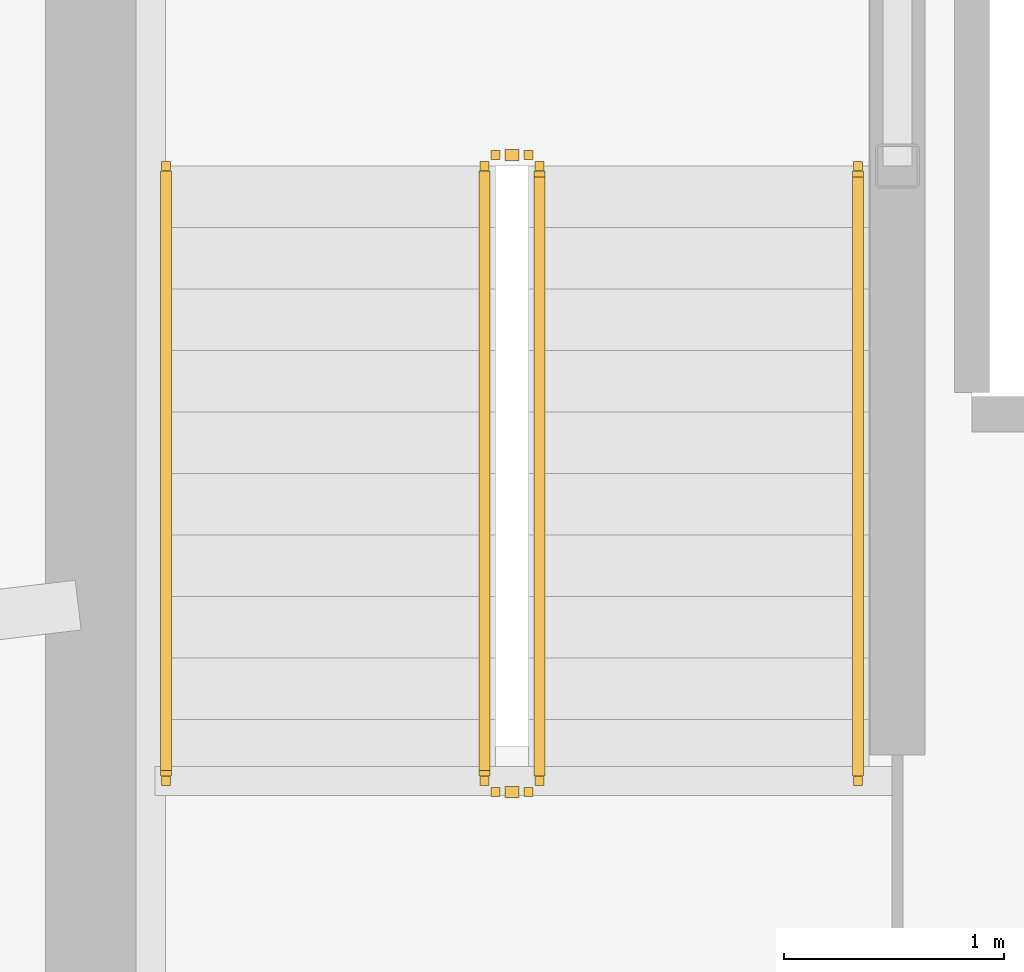
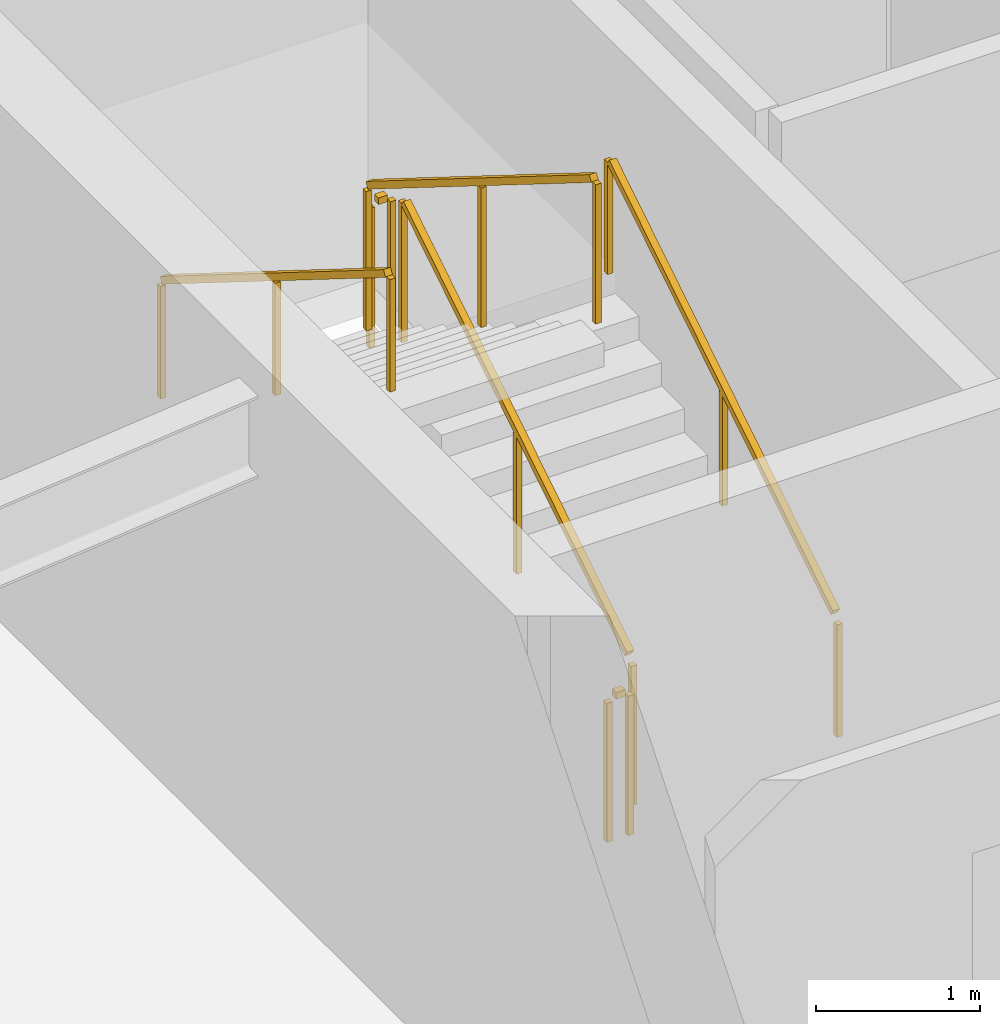
# One storey, part 24 of 29: 6 railings.
"""IFC4 building model written with IfcOpenShell, lengths in metres."""

from ifc_helpers import new_model, si_unit, direction, frame, origin, origin_2d, place, context, subcontext, project, spatial, rectangle, extrude, material, type_object, element, save


model = new_model("IFC4")

# Units and contexts
model_context = context("Model", 3, precision=1e-05, world=origin(), true_north=direction((0.0, 1.0)))
body_context = subcontext(model_context, "Body", "Model", "MODEL_VIEW")
ifc_project = project(units=[si_unit("LENGTHUNIT", "METRE"), si_unit("AREAUNIT", "SQUARE_METRE"), si_unit("VOLUMEUNIT", "CUBIC_METRE"), si_unit("PLANEANGLEUNIT", "RADIAN"), si_unit("MASSUNIT", "GRAM", prefix="KILO")], contexts=[model_context])

# Site, building, storey
site_placement = place(None, origin())
site = spatial("IfcSite", under=ifc_project, at=site_placement, CompositionType="ELEMENT")
building_placement = place(site_placement, origin())
building = spatial("IfcBuilding", under=site, at=building_placement, Name="Kazma Halo Residences", CompositionType="ELEMENT")
storey_placement = place(building_placement, frame((0.0, 0.0, 282.89990234375)))
storey = spatial("IfcBuildingStorey", under=building, at=storey_placement, Name="L71", CompositionType="ELEMENT", Elevation=282.89990234375)

# Railings
ifc_material_1 = material(Name="Painted Steel S355", Category="steel")
railing_type_1 = type_object("IfcRailingType", Name="RLG-STAIR-GRD-1100", PredefinedType="GUARDRAIL", material=ifc_material_1)
railing_1_placement = place(storey_placement, frame((39.550048828125, 39.949951171875, 0.175048828125)))
element("IfcRailing", 1, at=railing_1_placement, inside=storey, type_object=railing_type_1, Name="L71 ST-01 stair guard 1", PredefinedType="GUARDRAIL", context=body_context, shape_type="SweptSolid", body=[
    extrude(rectangle(XDim=0.050048828125, YDim=0.050048828125, at=origin_2d()), frame((0.0, 0.0361328125, 1.09765625), z_axis=(0.0, 0.848002457836, 0.529992293815), x_axis=(-1.0, 0.0, 0.0)), (0.0, 0.0, 1.0), 3.216796875),
    extrude(rectangle(XDim=0.0400390625, YDim=0.0400390625, at=origin_2d()), origin(), (0.0, 0.0, 1.0), 1.0380859375),
    extrude(rectangle(XDim=0.0400390625, YDim=0.0400390625, at=origin_2d()), frame((0.0, 1.39990234375, 0.875)), (0.0, 0.0, 1.0), 1.0380859375),
    extrude(rectangle(XDim=0.0400390625, YDim=0.0400390625, at=origin_2d()), frame((0.0, 2.800048828125, 1.75)), (0.0, 0.0, 1.0), 1.0380859375),
])
railing_2_placement = place(storey_placement, frame((39.5, 42.800048828125, 1.925048828125)))
element("IfcRailing", 2, at=railing_2_placement, inside=storey, type_object=railing_type_1, Name="L71 ST-01 stair guard 2", PredefinedType="GUARDRAIL", context=body_context, shape_type="SweptSolid", body=[
    extrude(rectangle(XDim=0.050048828125, YDim=0.050048828125, at=origin_2d()), frame((-0.04248046875, 0.0, 1.0751953125), z_axis=(-1.0, 0.0, 0.0), x_axis=(0.0, -1.0, 0.0)), (0.0, 0.0, 1.0), 0.06494140625),
    extrude(rectangle(XDim=0.0400390625, YDim=0.0400390625, at=origin_2d()), origin(), (0.0, 0.0, 1.0), 1.0380859375),
    extrude(rectangle(XDim=0.0400390625, YDim=0.0400390625, at=origin_2d()), frame((-0.14990234375, 0.0, 0.0)), (0.0, 0.0, 1.0), 1.0380859375),
])
railing_3_placement = place(storey_placement, frame((39.300048828125, 42.75, 2.10009765625)))
element("IfcRailing", 3, at=railing_3_placement, inside=storey, type_object=railing_type_1, Name="L71 ST-01 stair guard 3", PredefinedType="GUARDRAIL", context=body_context, shape_type="SweptSolid", body=[
    extrude(rectangle(XDim=0.050048828125, YDim=0.050048828125, at=origin_2d()), frame((0.0, -0.0361328125, 1.09765625), z_axis=(0.0, -0.848002457836, 0.529992293815), x_axis=(1.0, 0.0, 0.0)), (0.0, 0.0, 1.0), 3.216796875),
    extrude(rectangle(XDim=0.0400390625, YDim=0.0400390625, at=origin_2d()), origin(), (0.0, 0.0, 1.0), 1.0380859375),
    extrude(rectangle(XDim=0.0400390625, YDim=0.0400390625, at=origin_2d()), frame((0.0, -1.39990234375, 0.875)), (0.0, 0.0, 1.0), 1.0380859375),
    extrude(rectangle(XDim=0.0400390625, YDim=0.0400390625, at=origin_2d()), frame((0.0, -2.800048828125, 1.75)), (0.0, 0.0, 1.0), 1.0380859375),
])
railing_4_placement = place(storey_placement, frame((39.5, 39.89990234375, 0.0)))
element("IfcRailing", 4, at=railing_4_placement, inside=storey, type_object=railing_type_1, Name="L71 ST-01 stair guard 4", PredefinedType="GUARDRAIL", context=body_context, shape_type="SweptSolid", body=[
    extrude(rectangle(XDim=0.050048828125, YDim=0.050048828125, at=origin_2d()), frame((-0.04248046875, 0.0, 1.0751953125), z_axis=(-1.0, 0.0, 0.0), x_axis=(0.0, -1.0, 0.0)), (0.0, 0.0, 1.0), 0.06494140625),
    extrude(rectangle(XDim=0.0400390625, YDim=0.0400390625, at=origin_2d()), origin(), (0.0, 0.0, 1.0), 1.0380859375),
    extrude(rectangle(XDim=0.0400390625, YDim=0.0400390625, at=origin_2d()), frame((-0.14990234375, 0.0, 0.0)), (0.0, 0.0, 1.0), 1.0380859375),
])
ifc_material_2 = material(Name="Brushed Stainless Steel", Category="steel")
railing_type_2 = type_object("IfcRailingType", Name="RLG-STAIR-HND-900", PredefinedType="HANDRAIL", material=ifc_material_2)
railing_5_placement = place(storey_placement, frame((41.0, 39.949951171875, 0.175048828125)))
element("IfcRailing", 5, at=railing_5_placement, inside=storey, type_object=railing_type_2, Name="L71 ST-01 stair handrail 1", PredefinedType="HANDRAIL", context=body_context, shape_type="SweptSolid", body=[
    extrude(rectangle(XDim=0.050048828125, YDim=0.050048828125, at=origin_2d()), frame((0.0, 0.0361328125, 0.8974609375), z_axis=(0.0, 0.848002457836, 0.529992293815), x_axis=(-1.0, 0.0, 0.0)), (0.0, 0.0, 1.0), 3.216796875),
    extrude(rectangle(XDim=0.0400390625, YDim=0.0400390625, at=origin_2d()), origin(), (0.0, 0.0, 1.0), 0.837890625),
    extrude(rectangle(XDim=0.0400390625, YDim=0.0400390625, at=origin_2d()), frame((0.0, 1.39990234375, 0.875)), (0.0, 0.0, 1.0), 0.837890625),
    extrude(rectangle(XDim=0.0400390625, YDim=0.0400390625, at=origin_2d()), frame((0.0, 2.800048828125, 1.75)), (0.0, 0.0, 1.0), 0.837890625),
])
railing_6_placement = place(storey_placement, frame((37.85009765625, 42.75, 2.10009765625)))
element("IfcRailing", 6, at=railing_6_placement, inside=storey, type_object=railing_type_2, Name="L71 ST-01 stair handrail 2", PredefinedType="HANDRAIL", context=body_context, shape_type="SweptSolid", body=[
    extrude(rectangle(XDim=0.050048828125, YDim=0.050048828125, at=origin_2d()), frame((0.0, -0.0361328125, 0.8974609375), z_axis=(0.0, -0.848002457836, 0.529992293815), x_axis=(1.0, 0.0, 0.0)), (0.0, 0.0, 1.0), 3.216796875),
    extrude(rectangle(XDim=0.0400390625, YDim=0.0400390625, at=origin_2d()), origin(), (0.0, 0.0, 1.0), 0.837890625),
    extrude(rectangle(XDim=0.0400390625, YDim=0.0400390625, at=origin_2d()), frame((0.0, -1.39990234375, 0.875)), (0.0, 0.0, 1.0), 0.837890625),
    extrude(rectangle(XDim=0.0400390625, YDim=0.0400390625, at=origin_2d()), frame((0.0, -2.800048828125, 1.75)), (0.0, 0.0, 1.0), 0.837890625),
])

save(model, "model.ifc")
